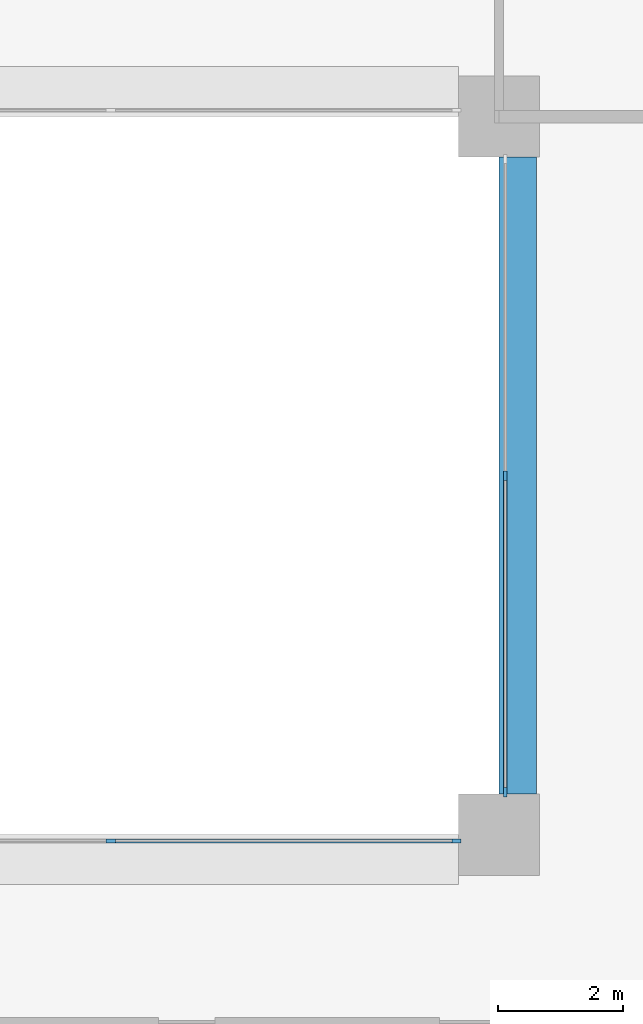
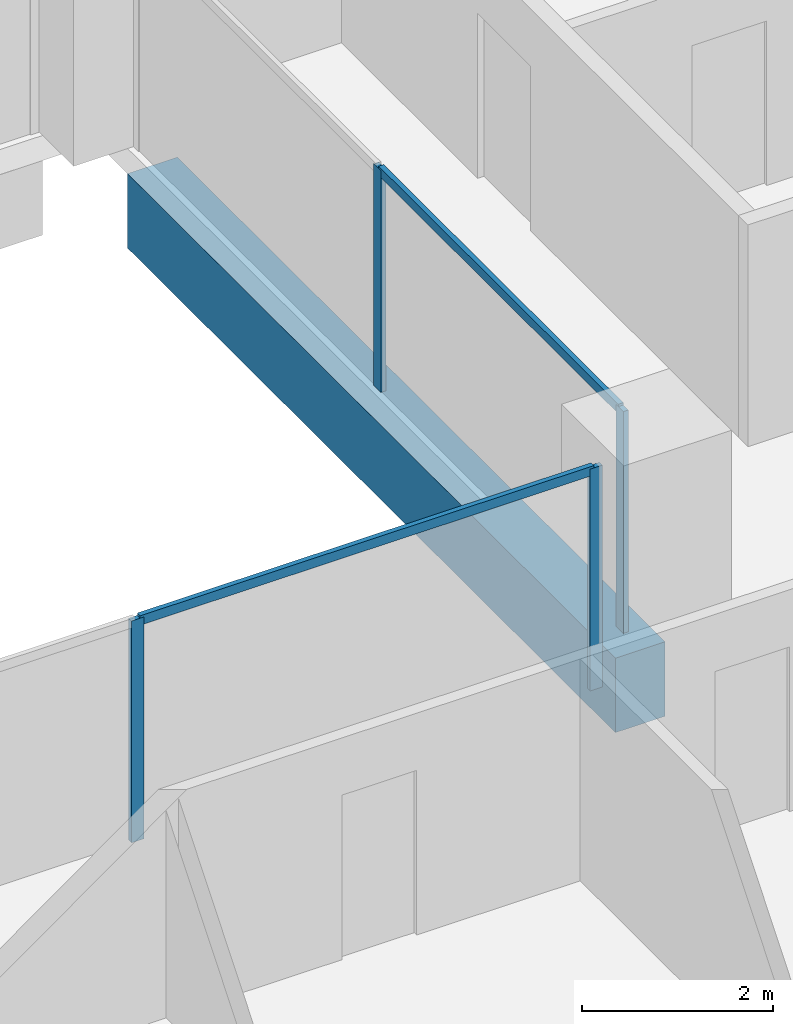
# One storey, part 4 of 16: 6 members, 1 beam, 2 elements without a shape of their own.
"""IFC4 building model written with IfcOpenShell, lengths in metres."""

from ifc_helpers import new_model, si_unit, direction, frame, origin, origin_2d, place, context, subcontext, project, spatial, rectangle, extrude, material, layer, layer_set, material_profile, profile_set, type_object, element, aggregate, save


model = new_model("IFC4")

# Units and contexts
model_context = context("Model", 3, precision=1e-05, world=origin(), true_north=direction((0.0, 1.0)))
body_context = subcontext(model_context, "Body", "Model", "MODEL_VIEW")
ifc_project = project(units=[si_unit("LENGTHUNIT", "METRE"), si_unit("AREAUNIT", "SQUARE_METRE"), si_unit("VOLUMEUNIT", "CUBIC_METRE"), si_unit("PLANEANGLEUNIT", "RADIAN"), si_unit("MASSUNIT", "GRAM", prefix="KILO")], contexts=[model_context])

# Site, building, storey
site_placement = place(None, origin())
site = spatial("IfcSite", under=ifc_project, at=site_placement, CompositionType="ELEMENT")
building_placement = place(site_placement, origin())
building = spatial("IfcBuilding", under=site, at=building_placement, Name="Brigalow Station Residences", CompositionType="ELEMENT")
storey_placement = place(building_placement, frame((0.0, 0.0, 86.699951171875)))
storey = spatial("IfcBuildingStorey", under=building, at=storey_placement, Name="L24", CompositionType="ELEMENT", Elevation=86.699951171875)

# Beam
ifc_material_1 = material(Name="Concrete C65", Category="concrete")
ifc_material_profile_1 = material_profile(ifc_material_1, rectangle(XDim=0.60009765625, YDim=0.949951171875, at=origin_2d()), Name="RC600x950")
ifc_profile_set_1 = profile_set([ifc_material_profile_1], Name="Concrete C65")
beam_type = type_object("IfcBeamType", Name="ATRIUM EDGE GIRDER 600x950 C65", PredefinedType="BEAM", material=ifc_profile_set_1)
beam_placement = place(storey_placement, frame((45.300048828125, 24.64990234375, -0.794921875), z_axis=(0.0, 1.0, 0.0), x_axis=(-1.0, 0.0, 0.0)))
element("IfcBeam", 1, at=beam_placement, inside=storey, type_object=beam_type, Name="ATRIUM EDGE GIRDER 5 L24", PredefinedType="BEAM", context=body_context, shape_type="SweptSolid", body=[
    extrude(rectangle(XDim=0.60009765625, YDim=0.949951171875, at=origin_2d()), origin(), (0.0, 0.0, 1.0), 10.2001953125),
])

# Curtain wall, members
ifc_material_2 = material(Name="Aluminium", Category="aluminium")
ifc_layer = layer(ifc_material_2, 0.14990234375)
ifc_layer_set = layer_set([ifc_layer], Name="ATRIUM FIRE-RATED GLAZING CURTAIN WALL")
curtain_wall_type = type_object("IfcCurtainWallType", Name="ATRIUM FIRE-RATED GLAZING CURTAIN WALL", PredefinedType="NOTDEFINED", material=ifc_layer_set)
curtain_wall_1_placement = place(storey_placement, origin())
curtain_wall_1 = element("IfcCurtainWall", 2, at=curtain_wall_1_placement, inside=storey, type_object=curtain_wall_type, Name="L24/cw/atrium-S", PredefinedType="NOTDEFINED")
ifc_material_3 = material(Name="Aluminium", Category="aluminium")
ifc_material_profile_2 = material_profile(ifc_material_3, rectangle(XDim=0.06005859375, YDim=0.14990234375, at=origin_2d()), Name="ATRIUM FIRE-RATED GLAZING MULLION 60x150")
ifc_profile_set_2 = profile_set([ifc_material_profile_2], Name="Aluminium")
member_type_1 = type_object("IfcMemberType", Name="ATRIUM FIRE-RATED GLAZING MULLION 60x150", PredefinedType="MULLION", material=ifc_profile_set_2)
member_1_placement = place(storey_placement, frame((38.783203125, 23.89990234375, 0.0), z_axis=(0.0, 0.0, 1.0), x_axis=(0.0, 1.0, 0.0)))
member_1 = element("IfcMember", 3, at=member_1_placement, type_object=member_type_1, Name="L24/cw/atrium-S/M02", PredefinedType="MULLION", context=body_context, shape_type="SweptSolid", body=[
    extrude(rectangle(XDim=0.06005859375, YDim=0.14990234375, at=origin_2d()), origin(), (0.0, 0.0, 1.0), 2.830078125),
])
member_2_placement = place(storey_placement, frame((44.320068359375, 23.89990234375, 0.0), z_axis=(0.0, 0.0, 1.0), x_axis=(0.0, 1.0, 0.0)))
member_2 = element("IfcMember", 4, at=member_2_placement, type_object=member_type_1, Name="L24/cw/atrium-S/M03", PredefinedType="MULLION", context=body_context, shape_type="SweptSolid", body=[
    extrude(rectangle(XDim=0.06005859375, YDim=0.14990234375, at=origin_2d()), origin(), (0.0, 0.0, 1.0), 2.830078125),
])

curtain_wall_2_placement = place(storey_placement, origin())
curtain_wall_2 = element("IfcCurtainWall", 5, at=curtain_wall_2_placement, inside=storey, type_object=curtain_wall_type, Name="L24/cw/atrium-E", PredefinedType="NOTDEFINED")
member_3_placement = place(storey_placement, frame((45.10009765625, 24.679931640625, 0.0), z_axis=(0.0, 0.0, 1.0), x_axis=(-1.0, 0.0, 0.0)))
member_3 = element("IfcMember", 6, at=member_3_placement, type_object=member_type_1, Name="L24/cw/atrium-E/M00", PredefinedType="MULLION", context=body_context, shape_type="SweptSolid", body=[
    extrude(rectangle(XDim=0.06005859375, YDim=0.14990234375, at=origin_2d()), origin(), (0.0, 0.0, 1.0), 2.830078125),
])
member_4_placement = place(storey_placement, frame((45.10009765625, 29.75, 0.0), z_axis=(0.0, 0.0, 1.0), x_axis=(-1.0, 0.0, 0.0)))
member_4 = element("IfcMember", 7, at=member_4_placement, type_object=member_type_1, Name="L24/cw/atrium-E/M01", PredefinedType="MULLION", context=body_context, shape_type="SweptSolid", body=[
    extrude(rectangle(XDim=0.06005859375, YDim=0.14990234375, at=origin_2d()), origin(), (0.0, 0.0, 1.0), 2.830078125),
])

# Member
ifc_material_4 = material(Name="Aluminium", Category="aluminium")
ifc_material_profile_3 = material_profile(ifc_material_4, rectangle(XDim=0.06005859375, YDim=0.1201171875, at=origin_2d()), Name="ATRIUM FIRE-RATED GLAZING TRANSOM 60x120")
ifc_profile_set_3 = profile_set([ifc_material_profile_3], Name="Aluminium")
member_type_2 = type_object("IfcMemberType", Name="ATRIUM FIRE-RATED GLAZING TRANSOM 60x120", PredefinedType="USERDEFINED", material=ifc_profile_set_3)
member_5_placement = place(storey_placement, frame((38.813232421875, 23.89990234375, 2.800048828125), z_axis=(1.0, 0.0, 0.0), x_axis=(0.0, 1.0, 0.0)))
member_5 = element("IfcMember", 8, at=member_5_placement, type_object=member_type_2, Name="L24/cw/atrium-S/T02-00", ObjectType="TRANSOM", PredefinedType="USERDEFINED", context=body_context, shape_type="SweptSolid", body=[
    extrude(rectangle(XDim=0.06005859375, YDim=0.1201171875, at=origin_2d()), origin(), (0.0, 0.0, 1.0), 5.476806640625),
])

aggregate(curtain_wall_1, [member_1, member_2, member_5])

member_6_placement = place(storey_placement, frame((45.10009765625, 24.7099609375, 2.800048828125), z_axis=(0.0, 1.0, 0.0), x_axis=(-1.0, 0.0, 0.0)))
member_6 = element("IfcMember", 9, at=member_6_placement, type_object=member_type_2, Name="L24/cw/atrium-E/T00-00", ObjectType="TRANSOM", PredefinedType="USERDEFINED", context=body_context, shape_type="SweptSolid", body=[
    extrude(rectangle(XDim=0.06005859375, YDim=0.1201171875, at=origin_2d()), origin(), (0.0, 0.0, 1.0), 5.010009765625),
])

aggregate(curtain_wall_2, [member_3, member_4, member_6])

save(model, "model.ifc")
